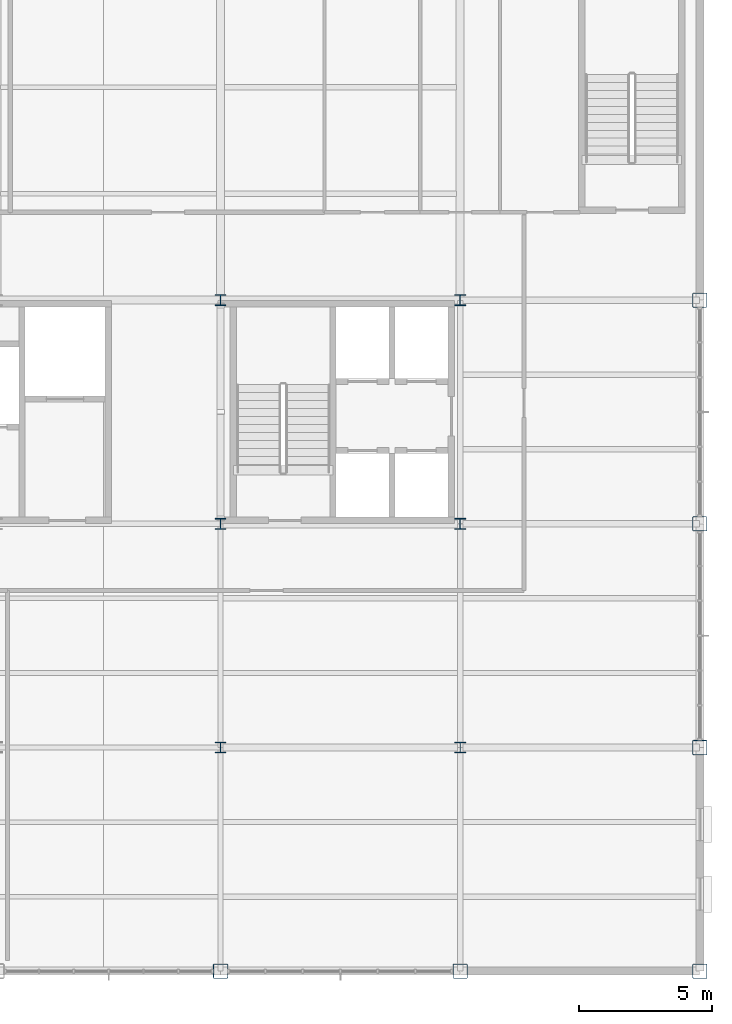
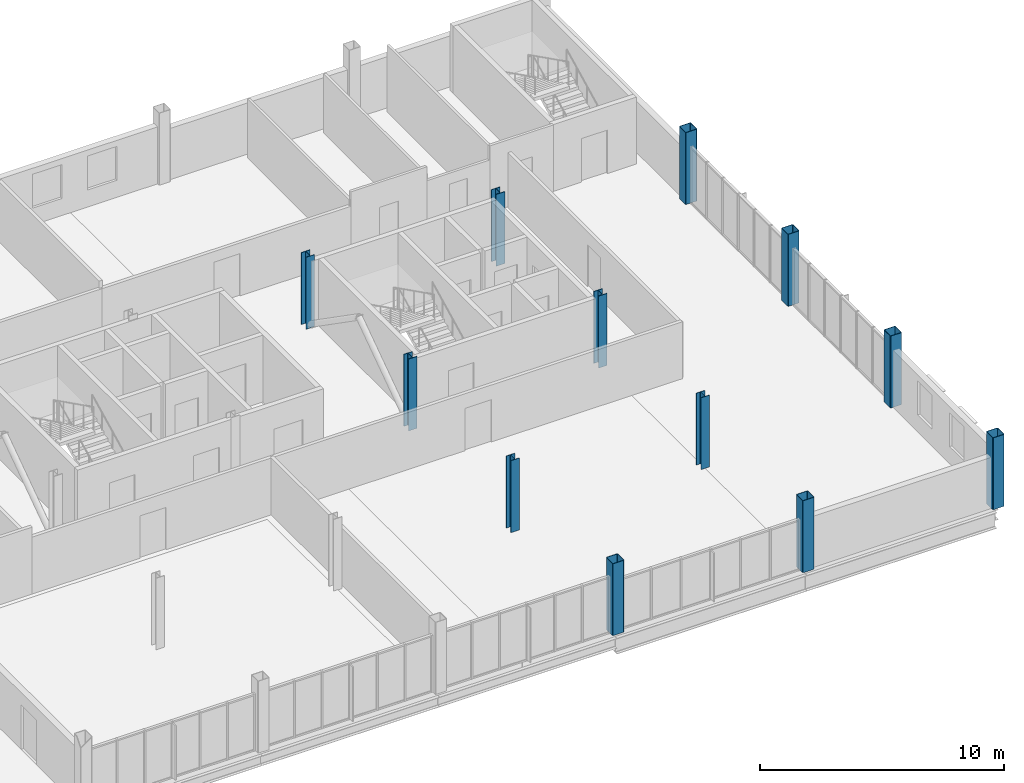
# One storey, part 2 of 18: 12 columns.
"""IFC4 building model written with IfcOpenShell, lengths in metres."""

from ifc_helpers import new_model, si_unit, direction, frame, origin, origin_2d, place, context, subcontext, project, spatial, hollow_rectangle, i_section, extrude, material, material_profile, profile_set, type_object, element, save


model = new_model("IFC4")

# Units and contexts
model_context = context("Model", 3, precision=1e-05, world=origin(), true_north=direction((0.0, 1.0)))
body_context = subcontext(model_context, "Body", "Model", "MODEL_VIEW")
ifc_project = project(units=[si_unit("LENGTHUNIT", "METRE"), si_unit("AREAUNIT", "SQUARE_METRE"), si_unit("VOLUMEUNIT", "CUBIC_METRE"), si_unit("PLANEANGLEUNIT", "RADIAN"), si_unit("MASSUNIT", "GRAM", prefix="KILO")], contexts=[model_context])

# Site, building, storey
site_placement = place(None, origin())
site = spatial("IfcSite", under=ifc_project, at=site_placement, CompositionType="ELEMENT")
building_placement = place(site_placement, origin())
building = spatial("IfcBuilding", under=site, at=building_placement, Name="Yukiwa Park Conservatory and Herbarium", CompositionType="ELEMENT")
storey_placement = place(building_placement, frame((0.0, 0.0, 21.0)))
storey = spatial("IfcBuildingStorey", under=building, at=storey_placement, Name="L05", CompositionType="ELEMENT", Elevation=21.0)

# Columns
ifc_material_1 = material(Name="Steel Q355D", Category="steel")
ifc_material_profile_1 = material_profile(ifc_material_1, hollow_rectangle(XDim=0.550048828125, YDim=0.550048828125, WallThickness=0.02197265625, InnerFilletRadius=0.02197265625, OuterFilletRadius=0.0439453125, at=origin_2d()), Name="BOX 550x550x22")
ifc_profile_set_1 = profile_set([ifc_material_profile_1], Name="Steel Q355D")
column_type_1 = type_object("IfcColumnType", Name="COL-TW-BOX550-EXT", PredefinedType="COLUMN", material=ifc_profile_set_1)
for number, where, z_axis, x_axis, name in (
    (1, (150.0, 78.0, 0.0), (0.0, 0.0, 1.0), (1.0, 0.0, 0.0), "L05 column V5-X1500-Y780"),
    (2, (159.0, 78.0, 0.0), (0.0, 0.0, 1.0), (1.0, 0.0, 0.0), "L05 column V5-X1590-Y780"),
    (3, (168.0, 78.0, 0.0), (0.0, 0.0, 1.0), (1.0, 0.0, 0.0), "L05 column V5-X1680-Y780"),
    (4, (168.0, 86.39990234375, 0.0), (0.0, 0.0, 1.0), (1.0, 0.0, 0.0), "L05 column V5-X1680-Y864"),
    (5, (168.0, 94.800048828125, 0.0), (0.0, 0.0, 1.0), (1.0, 0.0, 0.0), "L05 column V5-X1680-Y948"),
    (6, (168.0, 103.199951171875, 0.0), (0.0, 0.0, 1.0), (1.0, 0.0, 0.0), "L05 column V5-X1680-Y1032"),
):
    element("IfcColumn", number, at=place(storey_placement, frame(where, z_axis=z_axis, x_axis=x_axis)), inside=storey, type_object=column_type_1, Name=name, PredefinedType="COLUMN", context=body_context, shape_type="SweptSolid", body=[
        extrude(hollow_rectangle(XDim=0.550048828125, YDim=0.550048828125, WallThickness=0.02197265625, InnerFilletRadius=0.02197265625, OuterFilletRadius=0.0439453125, at=origin_2d()), origin(), (0.0, 0.0, 1.0), 3.60009765625),
    ])
ifc_material_2 = material(Name="Steel Q355D", Category="steel")
ifc_material_profile_2 = material_profile(ifc_material_2, i_section(OverallWidth=0.39990234375, OverallDepth=0.39990234375, WebThickness=0.012939453125, FlangeThickness=0.02099609375, FilletRadius=0.02197265625, at=origin_2d()), Name="HW 400x400x13x21")
ifc_profile_set_2 = profile_set([ifc_material_profile_2], Name="Steel Q355D")
column_type_2 = type_object("IfcColumnType", Name="COL-TW-HW400", PredefinedType="COLUMN", material=ifc_profile_set_2)
for number, where, z_axis, x_axis, name in (
    (7, (150.0, 86.39990234375, 0.0), (0.0, 0.0, 1.0), (1.0, 0.0, 0.0), "L05 column V5-X1500-Y864"),
    (8, (159.0, 86.39990234375, 0.0), (0.0, 0.0, 1.0), (1.0, 0.0, 0.0), "L05 column V5-X1590-Y864"),
):
    element("IfcColumn", number, at=place(storey_placement, frame(where, z_axis=z_axis, x_axis=x_axis)), inside=storey, type_object=column_type_2, Name=name, PredefinedType="COLUMN", context=body_context, shape_type="SweptSolid", body=[
        extrude(i_section(OverallWidth=0.39990234375, OverallDepth=0.39990234375, WebThickness=0.012939453125, FlangeThickness=0.02099609375, FilletRadius=0.02197265625, at=origin_2d()), origin(), (0.0, 0.0, 1.0), 3.60009765625),
    ])
ifc_material_3 = material(Name="Steel Q355D", Category="steel")
ifc_material_profile_3 = material_profile(ifc_material_3, i_section(OverallWidth=0.405029296875, OverallDepth=0.4140625, WebThickness=0.01806640625, FlangeThickness=0.028076171875, FilletRadius=0.02197265625, at=origin_2d()), Name="HW 414x405x18x28")
ifc_profile_set_3 = profile_set([ifc_material_profile_3], Name="Steel Q355D")
column_type_3 = type_object("IfcColumnType", Name="COL-TW-HW414", PredefinedType="COLUMN", material=ifc_profile_set_3)
for number, where, z_axis, x_axis, name in (
    (9, (150.0, 94.800048828125, 0.0), (0.0, 0.0, 1.0), (1.0, 0.0, 0.0), "L05 column V5-X1500-Y948"),
    (10, (150.0, 103.199951171875, 0.0), (0.0, 0.0, 1.0), (1.0, 0.0, 0.0), "L05 column V5-X1500-Y1032"),
    (11, (159.0, 94.800048828125, 0.0), (0.0, 0.0, 1.0), (1.0, 0.0, 0.0), "L05 column V5-X1590-Y948"),
    (12, (159.0, 103.199951171875, 0.0), (0.0, 0.0, 1.0), (1.0, 0.0, 0.0), "L05 column V5-X1590-Y1032"),
):
    element("IfcColumn", number, at=place(storey_placement, frame(where, z_axis=z_axis, x_axis=x_axis)), inside=storey, type_object=column_type_3, Name=name, PredefinedType="COLUMN", context=body_context, shape_type="SweptSolid", body=[
        extrude(i_section(OverallWidth=0.405029296875, OverallDepth=0.4140625, WebThickness=0.01806640625, FlangeThickness=0.028076171875, FilletRadius=0.02197265625, at=origin_2d()), origin(), (0.0, 0.0, 1.0), 3.60009765625),
    ])

save(model, "model.ifc")
